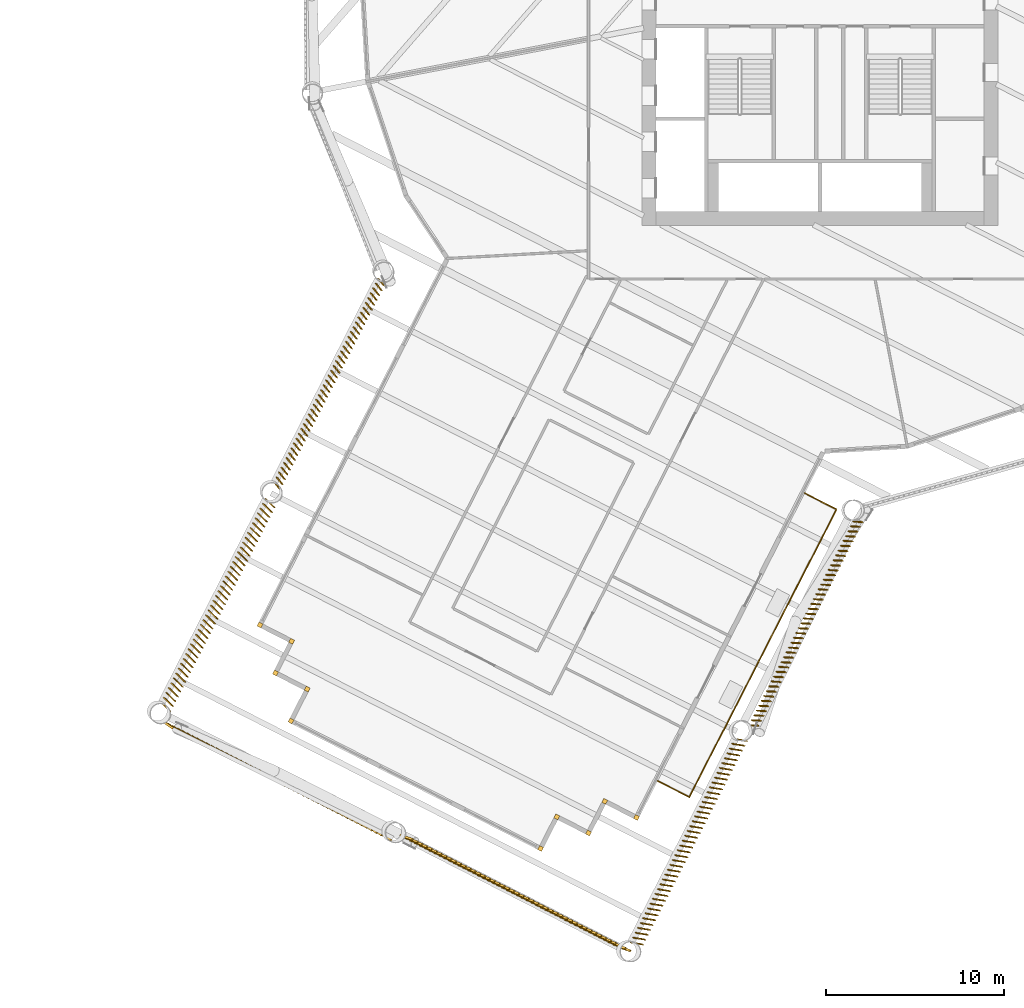
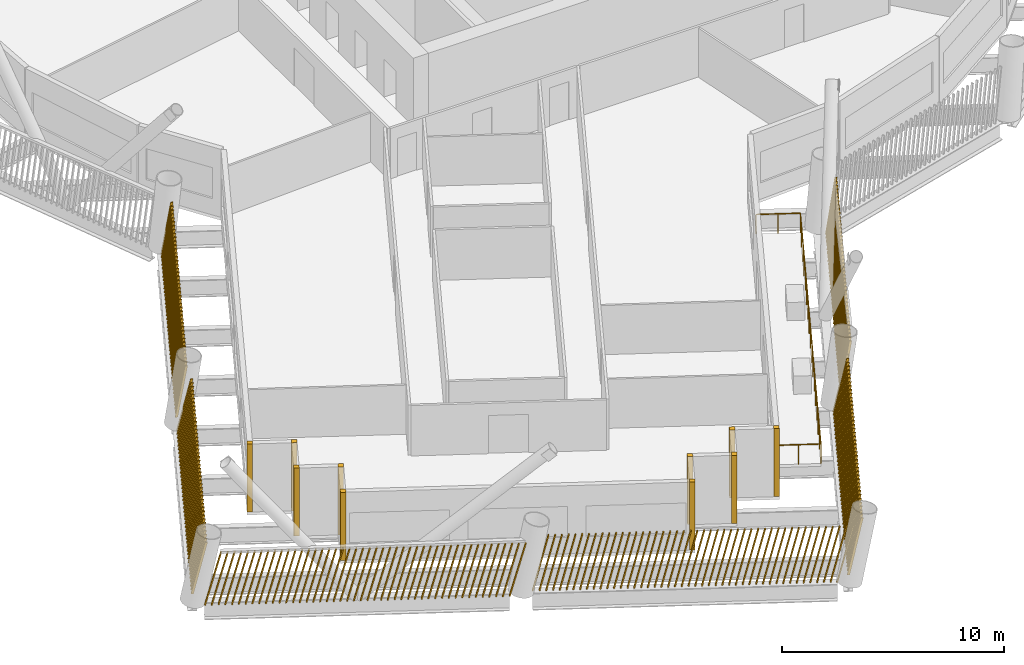
# One storey, part 16 of 21: 16 shading devices, 1 railing.
"""IFC4 building model written with IfcOpenShell, lengths in metres."""

from ifc_helpers import new_model, si_unit, direction, frame, frame_2d, origin, origin_2d, place, context, subcontext, project, spatial, rectangle, circle, composite_profile, extrude, material, type_object, element, save


model = new_model("IFC4")

# Units and contexts
model_context = context("Model", 3, precision=1e-05, world=origin(), true_north=direction((0.0, 1.0)))
body_context = subcontext(model_context, "Body", "Model", "MODEL_VIEW")
ifc_project = project(units=[si_unit("LENGTHUNIT", "METRE"), si_unit("AREAUNIT", "SQUARE_METRE"), si_unit("VOLUMEUNIT", "CUBIC_METRE"), si_unit("PLANEANGLEUNIT", "RADIAN"), si_unit("MASSUNIT", "GRAM", prefix="KILO")], contexts=[model_context])

# Site, building, storey
site_placement = place(None, origin())
site = spatial("IfcSite", under=ifc_project, at=site_placement, CompositionType="ELEMENT")
building_placement = place(site_placement, origin())
building = spatial("IfcBuilding", under=site, at=building_placement, Name="Tarsis Ring Headquarters", CompositionType="ELEMENT")
storey_placement = place(building_placement, frame((0.0, 0.0, 100.60009765625)))
storey = spatial("IfcBuildingStorey", under=building, at=storey_placement, Name="L22", CompositionType="ELEMENT", Elevation=100.60009765625)

# Railing
ifc_material_1 = material(Name="Stainless steel guard", Category="steel")
railing_type = type_object("IfcRailingType", Name="Balcony balustrade with mesh infill 1100", PredefinedType="BALUSTRADE", material=ifc_material_1)
railing_placement = place(storey_placement, frame((-9.1181640625, -44.194091796875, 0.0)))
element("IfcRailing", 1, at=railing_placement, inside=storey, type_object=railing_type, Name="Balcony balustrade L22-16", PredefinedType="BALUSTRADE", context=body_context, shape_type="SweptSolid", body=[
    extrude(circle(Radius=0.030029296875, at=origin_2d()), frame((0.0, 0.0, 1.070068359375), z_axis=(0.890387407061, -0.455203542766, 0.0), x_axis=(0.455203542766, 0.890387407061, 0.0)), (0.0, 0.0, 1.0), 2.0),
    extrude(circle(Radius=0.030029296875, at=origin_2d()), frame((1.78076171875, -0.910400390625, 1.070068359375), z_axis=(0.455228127883, 0.890374837686, 0.0), x_axis=(-0.890374837686, 0.455228127883, 0.0)), (0.0, 0.0, 1.0), 18.151123046875),
    extrude(circle(Radius=0.030029296875, at=origin_2d()), frame((10.043701171875, 15.2509765625, 1.070068359375), z_axis=(-0.890337928175, 0.455300311502, 0.0), x_axis=(-0.455300311502, -0.890337928175, 0.0)), (0.0, 0.0, 1.0), 2.0),
    extrude(circle(Radius=0.02490234375, at=origin_2d()), origin(), (0.0, 0.0, 1.0), 1.0400390625),
    extrude(circle(Radius=0.02490234375, at=origin_2d()), frame((0.890380859375, -0.455078125, 0.0)), (0.0, 0.0, 1.0), 1.0400390625),
    extrude(circle(Radius=0.02490234375, at=origin_2d()), frame((1.78076171875, -0.910400390625, 0.0)), (0.0, 0.0, 1.0), 1.0400390625),
    extrude(circle(Radius=0.02490234375, at=origin_2d()), frame((2.297119140625, 0.099609375, 0.0)), (0.0, 0.0, 1.0), 1.0400390625),
    extrude(circle(Radius=0.02490234375, at=origin_2d()), frame((2.813720703125, 1.10986328125, 0.0)), (0.0, 0.0, 1.0), 1.0400390625),
    extrude(circle(Radius=0.02490234375, at=origin_2d()), frame((3.330078125, 2.119873046875, 0.0)), (0.0, 0.0, 1.0), 1.0400390625),
    extrude(circle(Radius=0.02490234375, at=origin_2d()), frame((3.846435546875, 3.1298828125, 0.0)), (0.0, 0.0, 1.0), 1.0400390625),
    extrude(circle(Radius=0.02490234375, at=origin_2d()), frame((4.363037109375, 4.14013671875, 0.0)), (0.0, 0.0, 1.0), 1.0400390625),
    extrude(circle(Radius=0.02490234375, at=origin_2d()), frame((4.87939453125, 5.150146484375, 0.0)), (0.0, 0.0, 1.0), 1.0400390625),
    extrude(circle(Radius=0.02490234375, at=origin_2d()), frame((5.395751953125, 6.16015625, 0.0)), (0.0, 0.0, 1.0), 1.0400390625),
    extrude(circle(Radius=0.02490234375, at=origin_2d()), frame((5.912109375, 7.17041015625, 0.0)), (0.0, 0.0, 1.0), 1.0400390625),
    extrude(circle(Radius=0.02490234375, at=origin_2d()), frame((6.4287109375, 8.180419921875, 0.0)), (0.0, 0.0, 1.0), 1.0400390625),
    extrude(circle(Radius=0.02490234375, at=origin_2d()), frame((6.945068359375, 9.1904296875, 0.0)), (0.0, 0.0, 1.0), 1.0400390625),
    extrude(circle(Radius=0.02490234375, at=origin_2d()), frame((7.46142578125, 10.200439453125, 0.0)), (0.0, 0.0, 1.0), 1.0400390625),
    extrude(circle(Radius=0.02490234375, at=origin_2d()), frame((7.97802734375, 11.210693359375, 0.0)), (0.0, 0.0, 1.0), 1.0400390625),
    extrude(circle(Radius=0.02490234375, at=origin_2d()), frame((8.494384765625, 12.220703125, 0.0)), (0.0, 0.0, 1.0), 1.0400390625),
    extrude(circle(Radius=0.02490234375, at=origin_2d()), frame((9.0107421875, 13.230712890625, 0.0)), (0.0, 0.0, 1.0), 1.0400390625),
    extrude(circle(Radius=0.02490234375, at=origin_2d()), frame((9.52734375, 14.240966796875, 0.0)), (0.0, 0.0, 1.0), 1.0400390625),
    extrude(circle(Radius=0.02490234375, at=origin_2d()), frame((10.043701171875, 15.2509765625, 0.0)), (0.0, 0.0, 1.0), 1.0400390625),
    extrude(circle(Radius=0.02490234375, at=origin_2d()), frame((9.1533203125, 15.706298828125, 0.0)), (0.0, 0.0, 1.0), 1.0400390625),
    extrude(circle(Radius=0.02490234375, at=origin_2d()), frame((8.262939453125, 16.16162109375, 0.0)), (0.0, 0.0, 1.0), 1.0400390625),
])

# Shading devices
ifc_material_2 = material(Name="Terracotta baguette", Category="masonry")
shading_device_type_1 = type_object("IfcShadingDeviceType", Name="Terracotta baguette screen", PredefinedType="USERDEFINED", material=ifc_material_2)
shading_device_1_placement = place(storey_placement, frame((-24.783935546875, -15.963134765625, 0.0), z_axis=(0.0, 0.0, 1.0), x_axis=(-0.455230093854, -0.890364819861, 0.0)))
element("IfcShadingDevice", 2, at=shading_device_1_placement, inside=storey, type_object=shading_device_type_1, Name="Baguette screen L22-01", ObjectType="Terracotta baguette screen", PredefinedType="USERDEFINED", context=body_context, shape_type="SweptSolid", body=[
    extrude(composite_profile([rectangle(XDim=0.06005859375, YDim=0.1201171875, at=frame_2d((0.030029296875, 0.0))), rectangle(XDim=0.06005859375, YDim=0.1201171875, at=frame_2d((0.335693359375, 0.0))), rectangle(XDim=0.06005859375, YDim=0.1201171875, at=frame_2d((0.6416015625, 0.0))), rectangle(XDim=0.06005859375, YDim=0.1201171875, at=frame_2d((0.947265625, 0.0))), rectangle(XDim=0.06005859375, YDim=0.1201171875, at=frame_2d((1.253173828125, 0.0))), rectangle(XDim=0.06005859375, YDim=0.1201171875, at=frame_2d((1.558837890625, 0.0))), rectangle(XDim=0.06005859375, YDim=0.1201171875, at=frame_2d((1.864501953125, 0.0))), rectangle(XDim=0.06005859375, YDim=0.1201171875, at=frame_2d((2.17041015625, 0.0))), rectangle(XDim=0.06005859375, YDim=0.1201171875, at=frame_2d((2.47607421875, 0.0))), rectangle(XDim=0.06005859375, YDim=0.1201171875, at=frame_2d((2.781982421875, 0.0))), rectangle(XDim=0.06005859375, YDim=0.1201171875, at=frame_2d((3.087646484375, 0.0))), rectangle(XDim=0.06005859375, YDim=0.1201171875, at=frame_2d((3.393310546875, 0.0))), rectangle(XDim=0.06005859375, YDim=0.1201171875, at=frame_2d((3.69921875, 0.0))), rectangle(XDim=0.06005859375, YDim=0.1201171875, at=frame_2d((4.0048828125, 0.0))), rectangle(XDim=0.06005859375, YDim=0.1201171875, at=frame_2d((4.310791015625, 0.0))), rectangle(XDim=0.06005859375, YDim=0.1201171875, at=frame_2d((4.616455078125, 0.0))), rectangle(XDim=0.06005859375, YDim=0.1201171875, at=frame_2d((4.922119140625, 0.0))), rectangle(XDim=0.06005859375, YDim=0.1201171875, at=frame_2d((5.22802734375, 0.0))), rectangle(XDim=0.06005859375, YDim=0.1201171875, at=frame_2d((5.53369140625, 0.0))), rectangle(XDim=0.06005859375, YDim=0.1201171875, at=frame_2d((5.839599609375, 0.0))), rectangle(XDim=0.06005859375, YDim=0.1201171875, at=frame_2d((6.145263671875, 0.0))), rectangle(XDim=0.06005859375, YDim=0.1201171875, at=frame_2d((6.451171875, 0.0))), rectangle(XDim=0.06005859375, YDim=0.1201171875, at=frame_2d((6.7568359375, 0.0))), rectangle(XDim=0.06005859375, YDim=0.1201171875, at=frame_2d((7.0625, 0.0))), rectangle(XDim=0.06005859375, YDim=0.1201171875, at=frame_2d((7.368408203125, 0.0))), rectangle(XDim=0.06005859375, YDim=0.1201171875, at=frame_2d((7.674072265625, 0.0))), rectangle(XDim=0.06005859375, YDim=0.1201171875, at=frame_2d((7.97998046875, 0.0))), rectangle(XDim=0.06005859375, YDim=0.1201171875, at=frame_2d((8.28564453125, 0.0))), rectangle(XDim=0.06005859375, YDim=0.1201171875, at=frame_2d((8.59130859375, 0.0))), rectangle(XDim=0.06005859375, YDim=0.1201171875, at=frame_2d((8.897216796875, 0.0))), rectangle(XDim=0.06005859375, YDim=0.1201171875, at=frame_2d((9.202880859375, 0.0))), rectangle(XDim=0.06005859375, YDim=0.1201171875, at=frame_2d((9.5087890625, 0.0))), rectangle(XDim=0.06005859375, YDim=0.1201171875, at=frame_2d((9.814453125, 0.0))), rectangle(XDim=0.06005859375, YDim=0.1201171875, at=frame_2d((10.1201171875, 0.0))), rectangle(XDim=0.06005859375, YDim=0.1201171875, at=frame_2d((10.426025390625, 0.0))), rectangle(XDim=0.06005859375, YDim=0.1201171875, at=frame_2d((10.731689453125, 0.0))), rectangle(XDim=0.06005859375, YDim=0.1201171875, at=frame_2d((11.03759765625, 0.0))), rectangle(XDim=0.06005859375, YDim=0.1201171875, at=frame_2d((11.34326171875, 0.0))), rectangle(XDim=0.06005859375, YDim=0.1201171875, at=frame_2d((11.64892578125, 0.0))), rectangle(XDim=0.06005859375, YDim=0.1201171875, at=frame_2d((11.954833984375, 0.0))), rectangle(XDim=0.06005859375, YDim=0.1201171875, at=frame_2d((12.260498046875, 0.0))), rectangle(XDim=0.06005859375, YDim=0.1201171875, at=frame_2d((12.56640625, 0.0))), rectangle(XDim=0.06005859375, YDim=0.1201171875, at=frame_2d((12.8720703125, 0.0)))]), origin(), (0.066369218569, 0.1458560658, 0.987077066341), 2.990966796875),
])
shading_device_2_placement = place(storey_placement, frame((-31.11279296875, -28.34130859375, 0.0), z_axis=(0.0, 0.0, 1.0), x_axis=(-0.455238707968, -0.890362745284, 0.0)))
element("IfcShadingDevice", 3, at=shading_device_2_placement, inside=storey, type_object=shading_device_type_1, Name="Baguette screen L22-02", ObjectType="Terracotta baguette screen", PredefinedType="USERDEFINED", context=body_context, shape_type="SweptSolid", body=[
    extrude(composite_profile([rectangle(XDim=0.06005859375, YDim=0.1201171875, at=frame_2d((0.030029296875, 0.0))), rectangle(XDim=0.06005859375, YDim=0.1201171875, at=frame_2d((0.335693359375, 0.0))), rectangle(XDim=0.06005859375, YDim=0.1201171875, at=frame_2d((0.6416015625, 0.0))), rectangle(XDim=0.06005859375, YDim=0.1201171875, at=frame_2d((0.947265625, 0.0))), rectangle(XDim=0.06005859375, YDim=0.1201171875, at=frame_2d((1.253173828125, 0.0))), rectangle(XDim=0.06005859375, YDim=0.1201171875, at=frame_2d((1.558837890625, 0.0))), rectangle(XDim=0.06005859375, YDim=0.1201171875, at=frame_2d((1.864501953125, 0.0))), rectangle(XDim=0.06005859375, YDim=0.1201171875, at=frame_2d((2.17041015625, 0.0))), rectangle(XDim=0.06005859375, YDim=0.1201171875, at=frame_2d((2.47607421875, 0.0))), rectangle(XDim=0.06005859375, YDim=0.1201171875, at=frame_2d((2.781982421875, 0.0))), rectangle(XDim=0.06005859375, YDim=0.1201171875, at=frame_2d((3.087646484375, 0.0))), rectangle(XDim=0.06005859375, YDim=0.1201171875, at=frame_2d((3.393310546875, 0.0))), rectangle(XDim=0.06005859375, YDim=0.1201171875, at=frame_2d((3.69921875, 0.0))), rectangle(XDim=0.06005859375, YDim=0.1201171875, at=frame_2d((4.0048828125, 0.0))), rectangle(XDim=0.06005859375, YDim=0.1201171875, at=frame_2d((4.310791015625, 0.0))), rectangle(XDim=0.06005859375, YDim=0.1201171875, at=frame_2d((4.616455078125, 0.0))), rectangle(XDim=0.06005859375, YDim=0.1201171875, at=frame_2d((4.922119140625, 0.0))), rectangle(XDim=0.06005859375, YDim=0.1201171875, at=frame_2d((5.22802734375, 0.0))), rectangle(XDim=0.06005859375, YDim=0.1201171875, at=frame_2d((5.53369140625, 0.0))), rectangle(XDim=0.06005859375, YDim=0.1201171875, at=frame_2d((5.839599609375, 0.0))), rectangle(XDim=0.06005859375, YDim=0.1201171875, at=frame_2d((6.145263671875, 0.0))), rectangle(XDim=0.06005859375, YDim=0.1201171875, at=frame_2d((6.451171875, 0.0))), rectangle(XDim=0.06005859375, YDim=0.1201171875, at=frame_2d((6.7568359375, 0.0))), rectangle(XDim=0.06005859375, YDim=0.1201171875, at=frame_2d((7.0625, 0.0))), rectangle(XDim=0.06005859375, YDim=0.1201171875, at=frame_2d((7.368408203125, 0.0))), rectangle(XDim=0.06005859375, YDim=0.1201171875, at=frame_2d((7.674072265625, 0.0))), rectangle(XDim=0.06005859375, YDim=0.1201171875, at=frame_2d((7.97998046875, 0.0))), rectangle(XDim=0.06005859375, YDim=0.1201171875, at=frame_2d((8.28564453125, 0.0))), rectangle(XDim=0.06005859375, YDim=0.1201171875, at=frame_2d((8.59130859375, 0.0))), rectangle(XDim=0.06005859375, YDim=0.1201171875, at=frame_2d((8.897216796875, 0.0))), rectangle(XDim=0.06005859375, YDim=0.1201171875, at=frame_2d((9.202880859375, 0.0))), rectangle(XDim=0.06005859375, YDim=0.1201171875, at=frame_2d((9.5087890625, 0.0))), rectangle(XDim=0.06005859375, YDim=0.1201171875, at=frame_2d((9.814453125, 0.0))), rectangle(XDim=0.06005859375, YDim=0.1201171875, at=frame_2d((10.1201171875, 0.0))), rectangle(XDim=0.06005859375, YDim=0.1201171875, at=frame_2d((10.426025390625, 0.0))), rectangle(XDim=0.06005859375, YDim=0.1201171875, at=frame_2d((10.731689453125, 0.0))), rectangle(XDim=0.06005859375, YDim=0.1201171875, at=frame_2d((11.03759765625, 0.0))), rectangle(XDim=0.06005859375, YDim=0.1201171875, at=frame_2d((11.34326171875, 0.0))), rectangle(XDim=0.06005859375, YDim=0.1201171875, at=frame_2d((11.64892578125, 0.0))), rectangle(XDim=0.06005859375, YDim=0.1201171875, at=frame_2d((11.954833984375, 0.0))), rectangle(XDim=0.06005859375, YDim=0.1201171875, at=frame_2d((12.260498046875, 0.0))), rectangle(XDim=0.06005859375, YDim=0.1201171875, at=frame_2d((12.56640625, 0.0))), rectangle(XDim=0.06005859375, YDim=0.1201171875, at=frame_2d((12.8720703125, 0.0)))]), origin(), (0.065210165531, 0.20682594742, 0.976202162354), 3.0244140625),
])
shading_device_3_placement = place(storey_placement, frame((-36.939453125, -40.835693359375, 0.0), z_axis=(0.0, 0.0, 1.0), x_axis=(0.890367094206, -0.455232198142, 0.0)))
element("IfcShadingDevice", 4, at=shading_device_3_placement, inside=storey, type_object=shading_device_type_1, Name="Baguette screen L22-03", ObjectType="Terracotta baguette screen", PredefinedType="USERDEFINED", context=body_context, shape_type="SweptSolid", body=[
    extrude(composite_profile([rectangle(XDim=0.06005859375, YDim=0.1201171875, at=frame_2d((0.030029296875, 0.0))), rectangle(XDim=0.06005859375, YDim=0.1201171875, at=frame_2d((0.33544921875, 0.0))), rectangle(XDim=0.06005859375, YDim=0.1201171875, at=frame_2d((0.640625, 0.0))), rectangle(XDim=0.06005859375, YDim=0.1201171875, at=frame_2d((0.946044921875, 0.0))), rectangle(XDim=0.06005859375, YDim=0.1201171875, at=frame_2d((1.25146484375, 0.0))), rectangle(XDim=0.06005859375, YDim=0.1201171875, at=frame_2d((1.556640625, 0.0))), rectangle(XDim=0.06005859375, YDim=0.1201171875, at=frame_2d((1.862060546875, 0.0))), rectangle(XDim=0.06005859375, YDim=0.1201171875, at=frame_2d((2.16748046875, 0.0))), rectangle(XDim=0.06005859375, YDim=0.1201171875, at=frame_2d((2.47265625, 0.0))), rectangle(XDim=0.06005859375, YDim=0.1201171875, at=frame_2d((2.778076171875, 0.0))), rectangle(XDim=0.06005859375, YDim=0.1201171875, at=frame_2d((3.08349609375, 0.0))), rectangle(XDim=0.06005859375, YDim=0.1201171875, at=frame_2d((3.388671875, 0.0))), rectangle(XDim=0.06005859375, YDim=0.1201171875, at=frame_2d((3.694091796875, 0.0))), rectangle(XDim=0.06005859375, YDim=0.1201171875, at=frame_2d((3.99951171875, 0.0))), rectangle(XDim=0.06005859375, YDim=0.1201171875, at=frame_2d((4.3046875, 0.0))), rectangle(XDim=0.06005859375, YDim=0.1201171875, at=frame_2d((4.610107421875, 0.0))), rectangle(XDim=0.06005859375, YDim=0.1201171875, at=frame_2d((4.91552734375, 0.0))), rectangle(XDim=0.06005859375, YDim=0.1201171875, at=frame_2d((5.220703125, 0.0))), rectangle(XDim=0.06005859375, YDim=0.1201171875, at=frame_2d((5.526123046875, 0.0))), rectangle(XDim=0.06005859375, YDim=0.1201171875, at=frame_2d((5.83154296875, 0.0))), rectangle(XDim=0.06005859375, YDim=0.1201171875, at=frame_2d((6.13671875, 0.0))), rectangle(XDim=0.06005859375, YDim=0.1201171875, at=frame_2d((6.442138671875, 0.0))), rectangle(XDim=0.06005859375, YDim=0.1201171875, at=frame_2d((6.74755859375, 0.0))), rectangle(XDim=0.06005859375, YDim=0.1201171875, at=frame_2d((7.052734375, 0.0))), rectangle(XDim=0.06005859375, YDim=0.1201171875, at=frame_2d((7.358154296875, 0.0))), rectangle(XDim=0.06005859375, YDim=0.1201171875, at=frame_2d((7.66357421875, 0.0))), rectangle(XDim=0.06005859375, YDim=0.1201171875, at=frame_2d((7.96875, 0.0))), rectangle(XDim=0.06005859375, YDim=0.1201171875, at=frame_2d((8.274169921875, 0.0))), rectangle(XDim=0.06005859375, YDim=0.1201171875, at=frame_2d((8.57958984375, 0.0))), rectangle(XDim=0.06005859375, YDim=0.1201171875, at=frame_2d((8.884765625, 0.0))), rectangle(XDim=0.06005859375, YDim=0.1201171875, at=frame_2d((9.190185546875, 0.0))), rectangle(XDim=0.06005859375, YDim=0.1201171875, at=frame_2d((9.49560546875, 0.0))), rectangle(XDim=0.06005859375, YDim=0.1201171875, at=frame_2d((9.80078125, 0.0))), rectangle(XDim=0.06005859375, YDim=0.1201171875, at=frame_2d((10.106201171875, 0.0))), rectangle(XDim=0.06005859375, YDim=0.1201171875, at=frame_2d((10.41162109375, 0.0))), rectangle(XDim=0.06005859375, YDim=0.1201171875, at=frame_2d((10.716796875, 0.0))), rectangle(XDim=0.06005859375, YDim=0.1201171875, at=frame_2d((11.022216796875, 0.0))), rectangle(XDim=0.06005859375, YDim=0.1201171875, at=frame_2d((11.32763671875, 0.0))), rectangle(XDim=0.06005859375, YDim=0.1201171875, at=frame_2d((11.6328125, 0.0))), rectangle(XDim=0.06005859375, YDim=0.1201171875, at=frame_2d((11.938232421875, 0.0))), rectangle(XDim=0.06005859375, YDim=0.1201171875, at=frame_2d((12.24365234375, 0.0))), rectangle(XDim=0.06005859375, YDim=0.1201171875, at=frame_2d((12.548828125, 0.0))), rectangle(XDim=0.06005859375, YDim=0.1201171875, at=frame_2d((12.854248046875, 0.0))), rectangle(XDim=0.06005859375, YDim=0.1201171875, at=frame_2d((13.15966796875, 0.0))), rectangle(XDim=0.06005859375, YDim=0.1201171875, at=frame_2d((13.46484375, 0.0))), rectangle(XDim=0.06005859375, YDim=0.1201171875, at=frame_2d((13.770263671875, 0.0)))]), origin(), (0.238224037539, -0.031500499165, 0.970699246158), 3.04150390625),
])
shading_device_4_placement = place(storey_placement, frame((-23.591064453125, -47.2392578125, 0.0), z_axis=(0.0, 0.0, 1.0), x_axis=(0.890367094206, -0.455232198142, 0.0)))
element("IfcShadingDevice", 5, at=shading_device_4_placement, inside=storey, type_object=shading_device_type_1, Name="Baguette screen L22-04", ObjectType="Terracotta baguette screen", PredefinedType="USERDEFINED", context=body_context, shape_type="SweptSolid", body=[
    extrude(composite_profile([rectangle(XDim=0.06005859375, YDim=0.1201171875, at=frame_2d((0.030029296875, 0.0))), rectangle(XDim=0.06005859375, YDim=0.1201171875, at=frame_2d((0.33544921875, 0.0))), rectangle(XDim=0.06005859375, YDim=0.1201171875, at=frame_2d((0.640625, 0.0))), rectangle(XDim=0.06005859375, YDim=0.1201171875, at=frame_2d((0.946044921875, 0.0))), rectangle(XDim=0.06005859375, YDim=0.1201171875, at=frame_2d((1.25146484375, 0.0))), rectangle(XDim=0.06005859375, YDim=0.1201171875, at=frame_2d((1.556640625, 0.0))), rectangle(XDim=0.06005859375, YDim=0.1201171875, at=frame_2d((1.862060546875, 0.0))), rectangle(XDim=0.06005859375, YDim=0.1201171875, at=frame_2d((2.16748046875, 0.0))), rectangle(XDim=0.06005859375, YDim=0.1201171875, at=frame_2d((2.47265625, 0.0))), rectangle(XDim=0.06005859375, YDim=0.1201171875, at=frame_2d((2.778076171875, 0.0))), rectangle(XDim=0.06005859375, YDim=0.1201171875, at=frame_2d((3.08349609375, 0.0))), rectangle(XDim=0.06005859375, YDim=0.1201171875, at=frame_2d((3.388671875, 0.0))), rectangle(XDim=0.06005859375, YDim=0.1201171875, at=frame_2d((3.694091796875, 0.0))), rectangle(XDim=0.06005859375, YDim=0.1201171875, at=frame_2d((3.99951171875, 0.0))), rectangle(XDim=0.06005859375, YDim=0.1201171875, at=frame_2d((4.3046875, 0.0))), rectangle(XDim=0.06005859375, YDim=0.1201171875, at=frame_2d((4.610107421875, 0.0))), rectangle(XDim=0.06005859375, YDim=0.1201171875, at=frame_2d((4.91552734375, 0.0))), rectangle(XDim=0.06005859375, YDim=0.1201171875, at=frame_2d((5.220703125, 0.0))), rectangle(XDim=0.06005859375, YDim=0.1201171875, at=frame_2d((5.526123046875, 0.0))), rectangle(XDim=0.06005859375, YDim=0.1201171875, at=frame_2d((5.83154296875, 0.0))), rectangle(XDim=0.06005859375, YDim=0.1201171875, at=frame_2d((6.13671875, 0.0))), rectangle(XDim=0.06005859375, YDim=0.1201171875, at=frame_2d((6.442138671875, 0.0))), rectangle(XDim=0.06005859375, YDim=0.1201171875, at=frame_2d((6.74755859375, 0.0))), rectangle(XDim=0.06005859375, YDim=0.1201171875, at=frame_2d((7.052734375, 0.0))), rectangle(XDim=0.06005859375, YDim=0.1201171875, at=frame_2d((7.358154296875, 0.0))), rectangle(XDim=0.06005859375, YDim=0.1201171875, at=frame_2d((7.66357421875, 0.0))), rectangle(XDim=0.06005859375, YDim=0.1201171875, at=frame_2d((7.96875, 0.0))), rectangle(XDim=0.06005859375, YDim=0.1201171875, at=frame_2d((8.274169921875, 0.0))), rectangle(XDim=0.06005859375, YDim=0.1201171875, at=frame_2d((8.57958984375, 0.0))), rectangle(XDim=0.06005859375, YDim=0.1201171875, at=frame_2d((8.884765625, 0.0))), rectangle(XDim=0.06005859375, YDim=0.1201171875, at=frame_2d((9.190185546875, 0.0))), rectangle(XDim=0.06005859375, YDim=0.1201171875, at=frame_2d((9.49560546875, 0.0))), rectangle(XDim=0.06005859375, YDim=0.1201171875, at=frame_2d((9.80078125, 0.0))), rectangle(XDim=0.06005859375, YDim=0.1201171875, at=frame_2d((10.106201171875, 0.0))), rectangle(XDim=0.06005859375, YDim=0.1201171875, at=frame_2d((10.41162109375, 0.0))), rectangle(XDim=0.06005859375, YDim=0.1201171875, at=frame_2d((10.716796875, 0.0))), rectangle(XDim=0.06005859375, YDim=0.1201171875, at=frame_2d((11.022216796875, 0.0))), rectangle(XDim=0.06005859375, YDim=0.1201171875, at=frame_2d((11.32763671875, 0.0))), rectangle(XDim=0.06005859375, YDim=0.1201171875, at=frame_2d((11.6328125, 0.0))), rectangle(XDim=0.06005859375, YDim=0.1201171875, at=frame_2d((11.938232421875, 0.0))), rectangle(XDim=0.06005859375, YDim=0.1201171875, at=frame_2d((12.24365234375, 0.0))), rectangle(XDim=0.06005859375, YDim=0.1201171875, at=frame_2d((12.548828125, 0.0))), rectangle(XDim=0.06005859375, YDim=0.1201171875, at=frame_2d((12.854248046875, 0.0))), rectangle(XDim=0.06005859375, YDim=0.1201171875, at=frame_2d((13.15966796875, 0.0))), rectangle(XDim=0.06005859375, YDim=0.1201171875, at=frame_2d((13.46484375, 0.0))), rectangle(XDim=0.06005859375, YDim=0.1201171875, at=frame_2d((13.770263671875, 0.0)))]), origin(), (0.236188845088, 0.034743015267, 0.971085862499), 3.040283203125),
])
shading_device_5_placement = place(storey_placement, frame((-10.63134765625, -53.303955078125, 0.0), z_axis=(0.0, 0.0, 1.0), x_axis=(0.455230093854, 0.890364819861, 0.0)))
element("IfcShadingDevice", 6, at=shading_device_5_placement, inside=storey, type_object=shading_device_type_1, Name="Baguette screen L22-05", ObjectType="Terracotta baguette screen", PredefinedType="USERDEFINED", context=body_context, shape_type="SweptSolid", body=[
    extrude(composite_profile([rectangle(XDim=0.06005859375, YDim=0.1201171875, at=frame_2d((0.030029296875, 0.0))), rectangle(XDim=0.06005859375, YDim=0.1201171875, at=frame_2d((0.335693359375, 0.0))), rectangle(XDim=0.06005859375, YDim=0.1201171875, at=frame_2d((0.6416015625, 0.0))), rectangle(XDim=0.06005859375, YDim=0.1201171875, at=frame_2d((0.947265625, 0.0))), rectangle(XDim=0.06005859375, YDim=0.1201171875, at=frame_2d((1.253173828125, 0.0))), rectangle(XDim=0.06005859375, YDim=0.1201171875, at=frame_2d((1.558837890625, 0.0))), rectangle(XDim=0.06005859375, YDim=0.1201171875, at=frame_2d((1.864501953125, 0.0))), rectangle(XDim=0.06005859375, YDim=0.1201171875, at=frame_2d((2.17041015625, 0.0))), rectangle(XDim=0.06005859375, YDim=0.1201171875, at=frame_2d((2.47607421875, 0.0))), rectangle(XDim=0.06005859375, YDim=0.1201171875, at=frame_2d((2.781982421875, 0.0))), rectangle(XDim=0.06005859375, YDim=0.1201171875, at=frame_2d((3.087646484375, 0.0))), rectangle(XDim=0.06005859375, YDim=0.1201171875, at=frame_2d((3.393310546875, 0.0))), rectangle(XDim=0.06005859375, YDim=0.1201171875, at=frame_2d((3.69921875, 0.0))), rectangle(XDim=0.06005859375, YDim=0.1201171875, at=frame_2d((4.0048828125, 0.0))), rectangle(XDim=0.06005859375, YDim=0.1201171875, at=frame_2d((4.310791015625, 0.0))), rectangle(XDim=0.06005859375, YDim=0.1201171875, at=frame_2d((4.616455078125, 0.0))), rectangle(XDim=0.06005859375, YDim=0.1201171875, at=frame_2d((4.922119140625, 0.0))), rectangle(XDim=0.06005859375, YDim=0.1201171875, at=frame_2d((5.22802734375, 0.0))), rectangle(XDim=0.06005859375, YDim=0.1201171875, at=frame_2d((5.53369140625, 0.0))), rectangle(XDim=0.06005859375, YDim=0.1201171875, at=frame_2d((5.839599609375, 0.0))), rectangle(XDim=0.06005859375, YDim=0.1201171875, at=frame_2d((6.145263671875, 0.0))), rectangle(XDim=0.06005859375, YDim=0.1201171875, at=frame_2d((6.451171875, 0.0))), rectangle(XDim=0.06005859375, YDim=0.1201171875, at=frame_2d((6.7568359375, 0.0))), rectangle(XDim=0.06005859375, YDim=0.1201171875, at=frame_2d((7.0625, 0.0))), rectangle(XDim=0.06005859375, YDim=0.1201171875, at=frame_2d((7.368408203125, 0.0))), rectangle(XDim=0.06005859375, YDim=0.1201171875, at=frame_2d((7.674072265625, 0.0))), rectangle(XDim=0.06005859375, YDim=0.1201171875, at=frame_2d((7.97998046875, 0.0))), rectangle(XDim=0.06005859375, YDim=0.1201171875, at=frame_2d((8.28564453125, 0.0))), rectangle(XDim=0.06005859375, YDim=0.1201171875, at=frame_2d((8.59130859375, 0.0))), rectangle(XDim=0.06005859375, YDim=0.1201171875, at=frame_2d((8.897216796875, 0.0))), rectangle(XDim=0.06005859375, YDim=0.1201171875, at=frame_2d((9.202880859375, 0.0))), rectangle(XDim=0.06005859375, YDim=0.1201171875, at=frame_2d((9.5087890625, 0.0))), rectangle(XDim=0.06005859375, YDim=0.1201171875, at=frame_2d((9.814453125, 0.0))), rectangle(XDim=0.06005859375, YDim=0.1201171875, at=frame_2d((10.1201171875, 0.0))), rectangle(XDim=0.06005859375, YDim=0.1201171875, at=frame_2d((10.426025390625, 0.0))), rectangle(XDim=0.06005859375, YDim=0.1201171875, at=frame_2d((10.731689453125, 0.0))), rectangle(XDim=0.06005859375, YDim=0.1201171875, at=frame_2d((11.03759765625, 0.0))), rectangle(XDim=0.06005859375, YDim=0.1201171875, at=frame_2d((11.34326171875, 0.0))), rectangle(XDim=0.06005859375, YDim=0.1201171875, at=frame_2d((11.64892578125, 0.0))), rectangle(XDim=0.06005859375, YDim=0.1201171875, at=frame_2d((11.954833984375, 0.0))), rectangle(XDim=0.06005859375, YDim=0.1201171875, at=frame_2d((12.260498046875, 0.0))), rectangle(XDim=0.06005859375, YDim=0.1201171875, at=frame_2d((12.56640625, 0.0))), rectangle(XDim=0.06005859375, YDim=0.1201171875, at=frame_2d((12.8720703125, 0.0)))]), origin(), (0.068021174022, -0.20591785485, 0.976202313529), 3.0244140625),
])
shading_device_6_placement = place(storey_placement, frame((-3.968505859375, -41.096435546875, 0.0), z_axis=(0.0, 0.0, 1.0), x_axis=(0.455230093854, 0.890364819861, 0.0)))
element("IfcShadingDevice", 7, at=shading_device_6_placement, inside=storey, type_object=shading_device_type_1, Name="Baguette screen L22-06", ObjectType="Terracotta baguette screen", PredefinedType="USERDEFINED", context=body_context, shape_type="SweptSolid", body=[
    extrude(composite_profile([rectangle(XDim=0.06005859375, YDim=0.1201171875, at=frame_2d((0.030029296875, 0.0))), rectangle(XDim=0.06005859375, YDim=0.1201171875, at=frame_2d((0.335693359375, 0.0))), rectangle(XDim=0.06005859375, YDim=0.1201171875, at=frame_2d((0.6416015625, 0.0))), rectangle(XDim=0.06005859375, YDim=0.1201171875, at=frame_2d((0.947265625, 0.0))), rectangle(XDim=0.06005859375, YDim=0.1201171875, at=frame_2d((1.253173828125, 0.0))), rectangle(XDim=0.06005859375, YDim=0.1201171875, at=frame_2d((1.558837890625, 0.0))), rectangle(XDim=0.06005859375, YDim=0.1201171875, at=frame_2d((1.864501953125, 0.0))), rectangle(XDim=0.06005859375, YDim=0.1201171875, at=frame_2d((2.17041015625, 0.0))), rectangle(XDim=0.06005859375, YDim=0.1201171875, at=frame_2d((2.47607421875, 0.0))), rectangle(XDim=0.06005859375, YDim=0.1201171875, at=frame_2d((2.781982421875, 0.0))), rectangle(XDim=0.06005859375, YDim=0.1201171875, at=frame_2d((3.087646484375, 0.0))), rectangle(XDim=0.06005859375, YDim=0.1201171875, at=frame_2d((3.393310546875, 0.0))), rectangle(XDim=0.06005859375, YDim=0.1201171875, at=frame_2d((3.69921875, 0.0))), rectangle(XDim=0.06005859375, YDim=0.1201171875, at=frame_2d((4.0048828125, 0.0))), rectangle(XDim=0.06005859375, YDim=0.1201171875, at=frame_2d((4.310791015625, 0.0))), rectangle(XDim=0.06005859375, YDim=0.1201171875, at=frame_2d((4.616455078125, 0.0))), rectangle(XDim=0.06005859375, YDim=0.1201171875, at=frame_2d((4.922119140625, 0.0))), rectangle(XDim=0.06005859375, YDim=0.1201171875, at=frame_2d((5.22802734375, 0.0))), rectangle(XDim=0.06005859375, YDim=0.1201171875, at=frame_2d((5.53369140625, 0.0))), rectangle(XDim=0.06005859375, YDim=0.1201171875, at=frame_2d((5.839599609375, 0.0))), rectangle(XDim=0.06005859375, YDim=0.1201171875, at=frame_2d((6.145263671875, 0.0))), rectangle(XDim=0.06005859375, YDim=0.1201171875, at=frame_2d((6.451171875, 0.0))), rectangle(XDim=0.06005859375, YDim=0.1201171875, at=frame_2d((6.7568359375, 0.0))), rectangle(XDim=0.06005859375, YDim=0.1201171875, at=frame_2d((7.0625, 0.0))), rectangle(XDim=0.06005859375, YDim=0.1201171875, at=frame_2d((7.368408203125, 0.0))), rectangle(XDim=0.06005859375, YDim=0.1201171875, at=frame_2d((7.674072265625, 0.0))), rectangle(XDim=0.06005859375, YDim=0.1201171875, at=frame_2d((7.97998046875, 0.0))), rectangle(XDim=0.06005859375, YDim=0.1201171875, at=frame_2d((8.28564453125, 0.0))), rectangle(XDim=0.06005859375, YDim=0.1201171875, at=frame_2d((8.59130859375, 0.0))), rectangle(XDim=0.06005859375, YDim=0.1201171875, at=frame_2d((8.897216796875, 0.0))), rectangle(XDim=0.06005859375, YDim=0.1201171875, at=frame_2d((9.202880859375, 0.0))), rectangle(XDim=0.06005859375, YDim=0.1201171875, at=frame_2d((9.5087890625, 0.0))), rectangle(XDim=0.06005859375, YDim=0.1201171875, at=frame_2d((9.814453125, 0.0))), rectangle(XDim=0.06005859375, YDim=0.1201171875, at=frame_2d((10.1201171875, 0.0))), rectangle(XDim=0.06005859375, YDim=0.1201171875, at=frame_2d((10.426025390625, 0.0))), rectangle(XDim=0.06005859375, YDim=0.1201171875, at=frame_2d((10.731689453125, 0.0))), rectangle(XDim=0.06005859375, YDim=0.1201171875, at=frame_2d((11.03759765625, 0.0))), rectangle(XDim=0.06005859375, YDim=0.1201171875, at=frame_2d((11.34326171875, 0.0))), rectangle(XDim=0.06005859375, YDim=0.1201171875, at=frame_2d((11.64892578125, 0.0))), rectangle(XDim=0.06005859375, YDim=0.1201171875, at=frame_2d((11.954833984375, 0.0))), rectangle(XDim=0.06005859375, YDim=0.1201171875, at=frame_2d((12.260498046875, 0.0))), rectangle(XDim=0.06005859375, YDim=0.1201171875, at=frame_2d((12.56640625, 0.0))), rectangle(XDim=0.06005859375, YDim=0.1201171875, at=frame_2d((12.8720703125, 0.0)))]), origin(), (0.070047112133, -0.144910794953, 0.986962138883), 2.991455078125),
])
shading_device_type_2 = type_object("IfcShadingDeviceType", Name="Terracotta corner baguette 250x250", PredefinedType="USERDEFINED", material=ifc_material_2)
for number, where, z_axis, x_axis, name in (
    (8, (-31.45703125, -35.43994140625, 0.0), (0.0, 0.0, 1.0), (-0.455234152137, -0.890371757598, 0.0), "Corner baguette L22-07"),
    (9, (-29.67626953125, -36.350341796875, 0.0), (0.0, 0.0, 1.0), (0.890371868833, -0.455233934578, 0.0), "Corner baguette L22-08"),
    (10, (-30.586669921875, -38.131103515625, 0.0), (0.0, 0.0, 1.0), (-0.455234136597, -0.890371765543, 0.0), "Corner baguette L22-09"),
    (11, (-28.805908203125, -39.04150390625, 0.0), (0.0, 0.0, 1.0), (0.890371765543, -0.455234136597, 0.0), "Corner baguette L22-10"),
    (12, (-29.716552734375, -40.822265625, 0.0), (0.0, 0.0, 1.0), (-0.455233934578, -0.890371868833, 0.0), "Corner baguette L22-11"),
    (13, (-15.693115234375, -47.9921875, 0.0), (0.0, 0.0, 1.0), (0.890371765543, -0.455234136597, 0.0), "Corner baguette L22-12"),
    (14, (-14.78271484375, -46.21142578125, 0.0), (0.0, 0.0, 1.0), (0.455234136597, 0.890371765543, 0.0), "Corner baguette L22-13"),
    (15, (-13.001953125, -47.1220703125, 0.0), (0.0, 0.0, 1.0), (0.890371868833, -0.455233934578, 0.0), "Corner baguette L22-14"),
    (16, (-12.091552734375, -45.34130859375, 0.0), (0.0, 0.0, 1.0), (0.455234323076, 0.890371670199, 0.0), "Corner baguette L22-15"),
    (17, (-10.310791015625, -46.251708984375, 0.0), (0.0, 0.0, 1.0), (0.89037156691, -0.455234525095, 0.0), "Corner baguette L22-16"),
):
    element("IfcShadingDevice", number, at=place(storey_placement, frame(where, z_axis=z_axis, x_axis=x_axis)), inside=storey, type_object=shading_device_type_2, Name=name, ObjectType="Terracotta corner baguette", PredefinedType="USERDEFINED", context=body_context, shape_type="SweptSolid", body=[
        extrude(rectangle(XDim=0.25, YDim=0.25, at=origin_2d()), origin(), (0.0, 0.0, 1.0), 3.739990234375),
    ])

save(model, "model.ifc")
